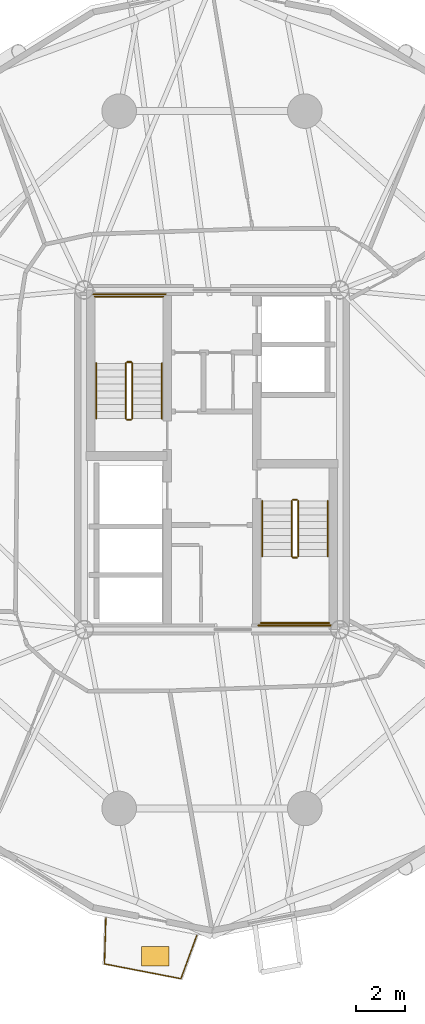
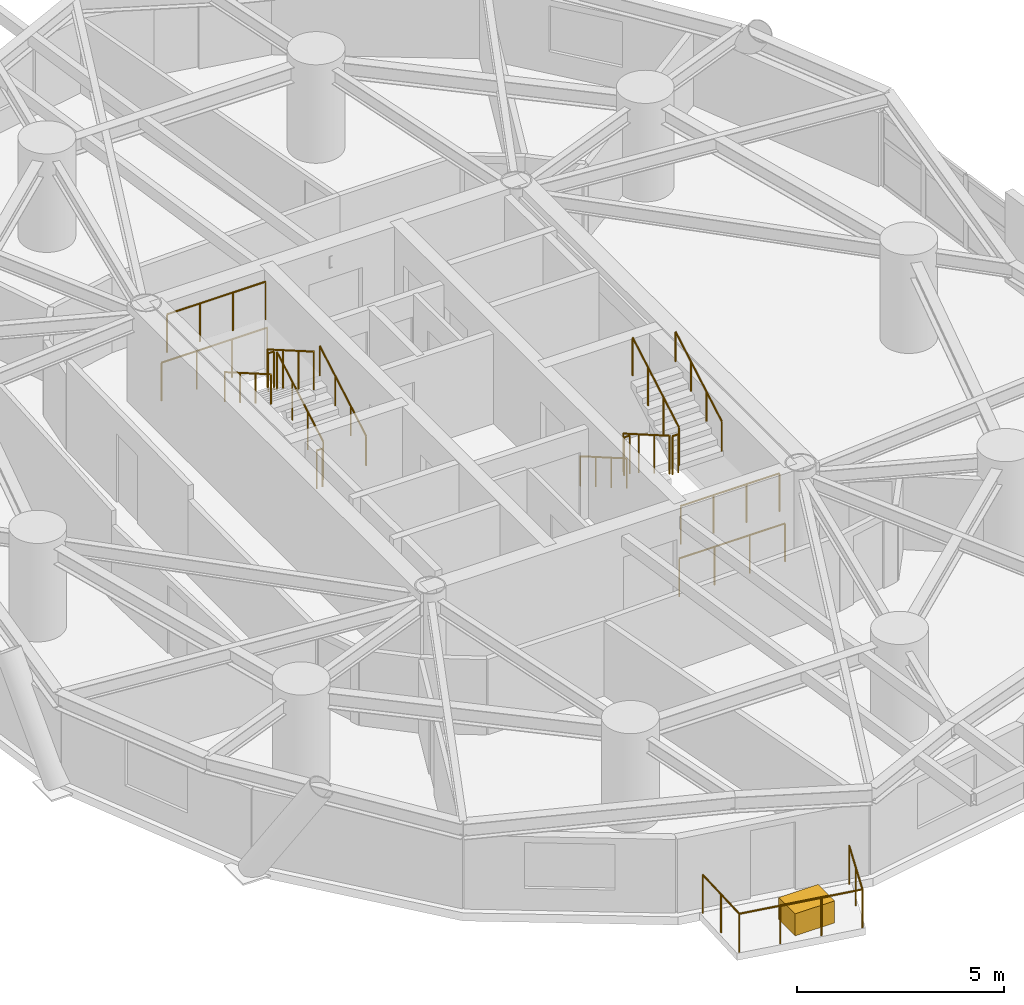
# One storey, part 16 of 18: 17 railings, 1 covering.
"""IFC4 building model written with IfcOpenShell, lengths in metres."""

from ifc_helpers import new_model, si_unit, direction, frame, origin, origin_2d, place, context, subcontext, project, spatial, rectangle, circle, extrude, source, transform, mapped, material, layer, layer_set, type_object, element, save


model = new_model("IFC4")

# Units and contexts
model_context = context("Model", 3, precision=1e-05, world=origin(), true_north=direction((0.0, 1.0)))
body_context = subcontext(model_context, "Body", "Model", "MODEL_VIEW")
ifc_project = project(units=[si_unit("LENGTHUNIT", "METRE"), si_unit("AREAUNIT", "SQUARE_METRE"), si_unit("VOLUMEUNIT", "CUBIC_METRE"), si_unit("PLANEANGLEUNIT", "RADIAN"), si_unit("MASSUNIT", "GRAM", prefix="KILO")], contexts=[model_context])

# Site, building, storey
site_placement = place(None, origin())
site = spatial("IfcSite", under=ifc_project, at=site_placement, CompositionType="ELEMENT")
building_placement = place(site_placement, origin())
building = spatial("IfcBuilding", under=site, at=building_placement, Name="Cununo Teusaquillo Station Towers", CompositionType="ELEMENT")
storey_placement = place(building_placement, frame((0.0, 0.0, 119.6201171875)))
storey = spatial("IfcBuildingStorey", under=building, at=storey_placement, Name="L38", CompositionType="ELEMENT", Elevation=119.6201171875)

# Railings
ifc_material_1 = material(Name="Anodised dark bronze aluminium EN AW-6063-T6", Category="aluminium")
railing_type_1 = type_object("IfcRailingType", Name="RL-EXT-GUARD", PredefinedType="GUARDRAIL", material=ifc_material_1)
railing_1_placement = place(storey_placement, frame((15.8818359375, 5.228271484375, 0.0)))
element("IfcRailing", 1, at=railing_1_placement, inside=storey, type_object=railing_type_1, Name="L38 Tower A Balcony Guardrail C14", PredefinedType="GUARDRAIL", context=body_context, shape_type="SweptSolid", body=[
    extrude(circle(Radius=0.02392578125, at=origin_2d()), frame((0.0, 0.0, 1.1259765625), z_axis=(-0.343962021681, -0.9389835609, 0.0), x_axis=(0.9389835609, -0.343962021681, 0.0)), (0.0, 0.0, 1.0), 1.86328125),
    extrude(circle(Radius=0.02392578125, at=origin_2d()), frame((-0.640869140625, -1.74951171875, 1.1259765625), z_axis=(-0.981834317938, 0.189740275429, 0.0), x_axis=(-0.189740275429, -0.981834317938, 0.0)), (0.0, 0.0, 1.0), 3.15380859375),
    extrude(circle(Radius=0.02392578125, at=origin_2d()), frame((-3.7373046875, -1.151123046875, 1.1259765625), z_axis=(0.030662031384, 0.999529809376, 0.0), x_axis=(-0.999529809376, 0.030662031384, 0.0)), (0.0, 0.0, 1.0), 1.86328125),
    extrude(circle(Radius=0.02099609375, at=origin_2d()), origin(), (0.0, 0.0, 1.0), 1.101806640625),
    extrude(circle(Radius=0.02099609375, at=origin_2d()), frame((-0.3203125, -0.874755859375, 0.0)), (0.0, 0.0, 1.0), 1.101806640625),
    extrude(circle(Radius=0.02099609375, at=origin_2d()), frame((-0.640869140625, -1.74951171875, 0.0)), (0.0, 0.0, 1.0), 1.101806640625),
    extrude(circle(Radius=0.02099609375, at=origin_2d()), frame((-1.673095703125, -1.550048828125, 0.0)), (0.0, 0.0, 1.0), 1.101806640625),
    extrude(circle(Radius=0.02099609375, at=origin_2d()), frame((-2.705078125, -1.3505859375, 0.0)), (0.0, 0.0, 1.0), 1.101806640625),
    extrude(circle(Radius=0.02099609375, at=origin_2d()), frame((-3.7373046875, -1.151123046875, 0.0)), (0.0, 0.0, 1.0), 1.101806640625),
    extrude(circle(Radius=0.02099609375, at=origin_2d()), frame((-3.708740234375, -0.219970703125, 0.0)), (0.0, 0.0, 1.0), 1.101806640625),
    extrude(circle(Radius=0.02099609375, at=origin_2d()), frame((-3.68017578125, 0.711181640625, 0.0)), (0.0, 0.0, 1.0), 1.101806640625),
])
ifc_material_2 = material(Name="Steel EN 10025-2 S355J2", Category="steel")
railing_type_2 = type_object("IfcRailingType", Name="RL-INT-GUARD", PredefinedType="GUARDRAIL", material=ifc_material_2)
railing_2_placement = place(storey_placement, frame((13.27001953125, 26.169921875, 0.16162109375)))
element("IfcRailing", 2, at=railing_2_placement, inside=storey, type_object=railing_type_2, Name="L38 ST-T1-1 stair guard 1", PredefinedType="GUARDRAIL", context=body_context, shape_type="SweptSolid", body=[
    extrude(circle(Radius=0.02392578125, at=origin_2d()), frame((0.0, 0.0, 1.1259765625), z_axis=(0.0, 0.866033117094, 0.499986639918), x_axis=(-1.0, 0.0, 0.0)), (0.0, 0.0, 1.0), 2.58642578125),
    extrude(circle(Radius=0.02099609375, at=origin_2d()), origin(), (0.0, 0.0, 1.0), 1.101806640625),
    extrude(circle(Radius=0.02099609375, at=origin_2d()), frame((0.0, 0.74658203125, 0.43115234375)), (0.0, 0.0, 1.0), 1.101806640625),
    extrude(circle(Radius=0.02099609375, at=origin_2d()), frame((0.0, 1.493408203125, 0.862060546875)), (0.0, 0.0, 1.0), 1.101806640625),
    extrude(circle(Radius=0.02099609375, at=origin_2d()), frame((0.0, 2.239990234375, 1.293212890625)), (0.0, 0.0, 1.0), 1.101806640625),
])
railing_3_placement = place(storey_placement, frame((13.219970703125, 28.4599609375, 1.454833984375)))
element("IfcRailing", 3, at=railing_3_placement, inside=storey, type_object=railing_type_2, Name="L38 ST-T1-1 stair guard 2", PredefinedType="GUARDRAIL", context=body_context, shape_type="SweptSolid", body=[
    extrude(circle(Radius=0.02392578125, at=origin_2d()), frame((0.0, 0.0, 1.1259765625), z_axis=(-1.0, 0.0, 0.0), x_axis=(0.0, -1.0, 0.0)), (0.0, 0.0, 1.0), 0.159912109375),
    extrude(circle(Radius=0.02099609375, at=origin_2d()), origin(), (0.0, 0.0, 1.0), 1.101806640625),
    extrude(circle(Radius=0.02099609375, at=origin_2d()), frame((-0.159912109375, 0.0, 0.0)), (0.0, 0.0, 1.0), 1.101806640625),
])
railing_4_placement = place(storey_placement, frame((14.52001953125, 31.110107421875, 1.454833984375)))
element("IfcRailing", 4, at=railing_4_placement, inside=storey, type_object=railing_type_2, Name="L38 ST-T1-1 stair guard 3", PredefinedType="GUARDRAIL", context=body_context, shape_type="SweptSolid", body=[
    extrude(circle(Radius=0.02392578125, at=origin_2d()), frame((0.0, 0.0, 1.1259765625), z_axis=(-1.0, 0.0, 0.0), x_axis=(0.0, -1.0, 0.0)), (0.0, 0.0, 1.0), 2.760009765625),
    extrude(circle(Radius=0.02099609375, at=origin_2d()), origin(), (0.0, 0.0, 1.0), 1.101806640625),
    extrude(circle(Radius=0.02099609375, at=origin_2d()), frame((-0.919921875, 0.0, 0.0)), (0.0, 0.0, 1.0), 1.101806640625),
    extrude(circle(Radius=0.02099609375, at=origin_2d()), frame((-1.840087890625, 0.0, 0.0)), (0.0, 0.0, 1.0), 1.101806640625),
    extrude(circle(Radius=0.02099609375, at=origin_2d()), frame((-2.760009765625, 0.0, 0.0)), (0.0, 0.0, 1.0), 1.101806640625),
])
railing_5_placement = place(storey_placement, frame((13.010009765625, 28.409912109375, 1.616455078125)))
element("IfcRailing", 5, at=railing_5_placement, inside=storey, type_object=railing_type_2, Name="L38 ST-T1-1 stair guard 4", PredefinedType="GUARDRAIL", context=body_context, shape_type="SweptSolid", body=[
    extrude(circle(Radius=0.02392578125, at=origin_2d()), frame((0.0, 0.0, 1.1259765625), z_axis=(0.0, -0.865992244559, 0.500057429065), x_axis=(1.0, 0.0, 0.0)), (0.0, 0.0, 1.0), 2.586669921875),
    extrude(circle(Radius=0.02099609375, at=origin_2d()), origin(), (0.0, 0.0, 1.0), 1.101806640625),
    extrude(circle(Radius=0.02099609375, at=origin_2d()), frame((0.0, -0.74658203125, 0.43115234375)), (0.0, 0.0, 1.0), 1.101806640625),
    extrude(circle(Radius=0.02099609375, at=origin_2d()), frame((0.0, -1.493408203125, 0.8623046875)), (0.0, 0.0, 1.0), 1.101806640625),
    extrude(circle(Radius=0.02099609375, at=origin_2d()), frame((0.0, -2.239990234375, 1.29345703125)), (0.0, 0.0, 1.0), 1.101806640625),
])
railing_6_placement = place(storey_placement, frame((13.219970703125, 26.1201171875, 0.0)))
element("IfcRailing", 6, at=railing_6_placement, inside=storey, type_object=railing_type_2, Name="L38 ST-T1-1 stair guard 5", PredefinedType="GUARDRAIL", context=body_context, shape_type="SweptSolid", body=[
    extrude(circle(Radius=0.02392578125, at=origin_2d()), frame((0.0, 0.0, 1.1259765625), z_axis=(-1.0, 0.0, 0.0), x_axis=(0.0, -1.0, 0.0)), (0.0, 0.0, 1.0), 0.159912109375),
    extrude(circle(Radius=0.02099609375, at=origin_2d()), origin(), (0.0, 0.0, 1.0), 1.101806640625),
    extrude(circle(Radius=0.02099609375, at=origin_2d()), frame((-0.159912109375, 0.0, 0.0)), (0.0, 0.0, 1.0), 1.101806640625),
])
railing_7_placement = place(storey_placement, frame((14.6201171875, 31.2099609375, 0.0)))
element("IfcRailing", 7, at=railing_7_placement, inside=storey, type_object=railing_type_2, Name="L38 ST-T1-1 stair guard 6", PredefinedType="GUARDRAIL", context=body_context, shape_type="SweptSolid", body=[
    extrude(circle(Radius=0.02392578125, at=origin_2d()), frame((0.0, 0.0, 1.1259765625), z_axis=(-1.0, 0.0, 0.0), x_axis=(0.0, -1.0, 0.0)), (0.0, 0.0, 1.0), 2.960205078125),
    extrude(circle(Radius=0.02099609375, at=origin_2d()), origin(), (0.0, 0.0, 1.0), 1.101806640625),
    extrude(circle(Radius=0.02099609375, at=origin_2d()), frame((-0.98681640625, 0.0, 0.0)), (0.0, 0.0, 1.0), 1.101806640625),
    extrude(circle(Radius=0.02099609375, at=origin_2d()), frame((-1.973388671875, 0.0, 0.0)), (0.0, 0.0, 1.0), 1.101806640625),
    extrude(circle(Radius=0.02099609375, at=origin_2d()), frame((-2.960205078125, 0.0, 0.0)), (0.0, 0.0, 1.0), 1.101806640625),
])
railing_8_placement = place(storey_placement, frame((19.72998046875, 22.830078125, 0.16162109375)))
element("IfcRailing", 8, at=railing_8_placement, inside=storey, type_object=railing_type_2, Name="L38 ST-T1-2 stair guard 1", PredefinedType="GUARDRAIL", context=body_context, shape_type="SweptSolid", body=[
    extrude(circle(Radius=0.02392578125, at=origin_2d()), frame((0.0, 0.0, 1.1259765625), z_axis=(0.0, -0.866033117094, 0.499986639918), x_axis=(1.0, 0.0, 0.0)), (0.0, 0.0, 1.0), 2.58642578125),
    extrude(circle(Radius=0.02099609375, at=origin_2d()), origin(), (0.0, 0.0, 1.0), 1.101806640625),
    extrude(circle(Radius=0.02099609375, at=origin_2d()), frame((0.0, -0.74658203125, 0.43115234375)), (0.0, 0.0, 1.0), 1.101806640625),
    extrude(circle(Radius=0.02099609375, at=origin_2d()), frame((0.0, -1.493408203125, 0.862060546875)), (0.0, 0.0, 1.0), 1.101806640625),
    extrude(circle(Radius=0.02099609375, at=origin_2d()), frame((0.0, -2.239990234375, 1.293212890625)), (0.0, 0.0, 1.0), 1.101806640625),
])
railing_9_placement = place(storey_placement, frame((19.780029296875, 20.5400390625, 1.454833984375)))
element("IfcRailing", 9, at=railing_9_placement, inside=storey, type_object=railing_type_2, Name="L38 ST-T1-2 stair guard 2", PredefinedType="GUARDRAIL", context=body_context, shape_type="SweptSolid", body=[
    extrude(circle(Radius=0.02392578125, at=origin_2d()), frame((0.0, 0.0, 1.1259765625), z_axis=(1.0, 0.0, 0.0), x_axis=(0.0, 1.0, 0.0)), (0.0, 0.0, 1.0), 0.159912109375),
    extrude(circle(Radius=0.02099609375, at=origin_2d()), origin(), (0.0, 0.0, 1.0), 1.101806640625),
    extrude(circle(Radius=0.02099609375, at=origin_2d()), frame((0.159912109375, 0.0, 0.0)), (0.0, 0.0, 1.0), 1.101806640625),
])
railing_10_placement = place(storey_placement, frame((18.47998046875, 17.889892578125, 1.454833984375)))
element("IfcRailing", 10, at=railing_10_placement, inside=storey, type_object=railing_type_2, Name="L38 ST-T1-2 stair guard 3", PredefinedType="GUARDRAIL", context=body_context, shape_type="SweptSolid", body=[
    extrude(circle(Radius=0.02392578125, at=origin_2d()), frame((0.0, 0.0, 1.1259765625), z_axis=(1.0, 0.0, 0.0), x_axis=(0.0, 1.0, 0.0)), (0.0, 0.0, 1.0), 2.760009765625),
    extrude(circle(Radius=0.02099609375, at=origin_2d()), origin(), (0.0, 0.0, 1.0), 1.101806640625),
    extrude(circle(Radius=0.02099609375, at=origin_2d()), frame((0.919921875, 0.0, 0.0)), (0.0, 0.0, 1.0), 1.101806640625),
    extrude(circle(Radius=0.02099609375, at=origin_2d()), frame((1.840087890625, 0.0, 0.0)), (0.0, 0.0, 1.0), 1.101806640625),
    extrude(circle(Radius=0.02099609375, at=origin_2d()), frame((2.760009765625, 0.0, 0.0)), (0.0, 0.0, 1.0), 1.101806640625),
])
railing_11_placement = place(storey_placement, frame((19.989990234375, 20.590087890625, 1.616455078125)))
element("IfcRailing", 11, at=railing_11_placement, inside=storey, type_object=railing_type_2, Name="L38 ST-T1-2 stair guard 4", PredefinedType="GUARDRAIL", context=body_context, shape_type="SweptSolid", body=[
    extrude(circle(Radius=0.02392578125, at=origin_2d()), frame((0.0, 0.0, 1.1259765625), z_axis=(0.0, 0.865992244559, 0.500057429065), x_axis=(-1.0, 0.0, 0.0)), (0.0, 0.0, 1.0), 2.586669921875),
    extrude(circle(Radius=0.02099609375, at=origin_2d()), origin(), (0.0, 0.0, 1.0), 1.101806640625),
    extrude(circle(Radius=0.02099609375, at=origin_2d()), frame((0.0, 0.74658203125, 0.43115234375)), (0.0, 0.0, 1.0), 1.101806640625),
    extrude(circle(Radius=0.02099609375, at=origin_2d()), frame((0.0, 1.493408203125, 0.8623046875)), (0.0, 0.0, 1.0), 1.101806640625),
    extrude(circle(Radius=0.02099609375, at=origin_2d()), frame((0.0, 2.239990234375, 1.29345703125)), (0.0, 0.0, 1.0), 1.101806640625),
])
railing_12_placement = place(storey_placement, frame((19.780029296875, 22.8798828125, 0.0)))
element("IfcRailing", 12, at=railing_12_placement, inside=storey, type_object=railing_type_2, Name="L38 ST-T1-2 stair guard 5", PredefinedType="GUARDRAIL", context=body_context, shape_type="SweptSolid", body=[
    extrude(circle(Radius=0.02392578125, at=origin_2d()), frame((0.0, 0.0, 1.1259765625), z_axis=(1.0, 0.0, 0.0), x_axis=(0.0, 1.0, 0.0)), (0.0, 0.0, 1.0), 0.159912109375),
    extrude(circle(Radius=0.02099609375, at=origin_2d()), origin(), (0.0, 0.0, 1.0), 1.101806640625),
    extrude(circle(Radius=0.02099609375, at=origin_2d()), frame((0.159912109375, 0.0, 0.0)), (0.0, 0.0, 1.0), 1.101806640625),
])
railing_13_placement = place(storey_placement, frame((18.3798828125, 17.7900390625, 0.0)))
element("IfcRailing", 13, at=railing_13_placement, inside=storey, type_object=railing_type_2, Name="L38 ST-T1-2 stair guard 6", PredefinedType="GUARDRAIL", context=body_context, shape_type="SweptSolid", body=[
    extrude(circle(Radius=0.02392578125, at=origin_2d()), frame((0.0, 0.0, 1.1259765625), z_axis=(1.0, 0.0, 0.0), x_axis=(0.0, 1.0, 0.0)), (0.0, 0.0, 1.0), 2.960205078125),
    extrude(circle(Radius=0.02099609375, at=origin_2d()), origin(), (0.0, 0.0, 1.0), 1.101806640625),
    extrude(circle(Radius=0.02099609375, at=origin_2d()), frame((0.98681640625, 0.0, 0.0)), (0.0, 0.0, 1.0), 1.101806640625),
    extrude(circle(Radius=0.02099609375, at=origin_2d()), frame((1.973388671875, 0.0, 0.0)), (0.0, 0.0, 1.0), 1.101806640625),
    extrude(circle(Radius=0.02099609375, at=origin_2d()), frame((2.960205078125, 0.0, 0.0)), (0.0, 0.0, 1.0), 1.101806640625),
])
ifc_material_3 = material(Name="Steel EN 10025-2 S355J2", Category="steel")
railing_type_3 = type_object("IfcRailingType", Name="RL-INT-HRAIL", PredefinedType="HANDRAIL", material=ifc_material_3)
railing_14_placement = place(storey_placement, frame((14.469970703125, 26.169921875, 0.16162109375)))
element("IfcRailing", 14, at=railing_14_placement, inside=storey, type_object=railing_type_3, Name="L38 ST-T1-1 stair handrail 1", PredefinedType="HANDRAIL", context=body_context, shape_type="SweptSolid", body=[
    extrude(circle(Radius=0.02392578125, at=origin_2d()), frame((0.0, 0.0, 0.8759765625), z_axis=(0.0, 0.866033117094, 0.499986639918), x_axis=(-1.0, 0.0, 0.0)), (0.0, 0.0, 1.0), 2.58642578125),
    extrude(circle(Radius=0.02099609375, at=origin_2d()), origin(), (0.0, 0.0, 1.0), 0.851806640625),
    extrude(circle(Radius=0.02099609375, at=origin_2d()), frame((0.0, 0.74658203125, 0.43115234375)), (0.0, 0.0, 1.0), 0.851806640625),
    extrude(circle(Radius=0.02099609375, at=origin_2d()), frame((0.0, 1.493408203125, 0.862060546875)), (0.0, 0.0, 1.0), 0.851806640625),
    extrude(circle(Radius=0.02099609375, at=origin_2d()), frame((0.0, 2.239990234375, 1.293212890625)), (0.0, 0.0, 1.0), 0.851806640625),
])
railing_15_placement = place(storey_placement, frame((11.81005859375, 28.409912109375, 1.616455078125)))
element("IfcRailing", 15, at=railing_15_placement, inside=storey, type_object=railing_type_3, Name="L38 ST-T1-1 stair handrail 2", PredefinedType="HANDRAIL", context=body_context, shape_type="SweptSolid", body=[
    extrude(circle(Radius=0.02392578125, at=origin_2d()), frame((0.0, 0.0, 0.8759765625), z_axis=(0.0, -0.865992244559, 0.500057429065), x_axis=(1.0, 0.0, 0.0)), (0.0, 0.0, 1.0), 2.586669921875),
    extrude(circle(Radius=0.02099609375, at=origin_2d()), origin(), (0.0, 0.0, 1.0), 0.851806640625),
    extrude(circle(Radius=0.02099609375, at=origin_2d()), frame((0.0, -0.74658203125, 0.43115234375)), (0.0, 0.0, 1.0), 0.851806640625),
    extrude(circle(Radius=0.02099609375, at=origin_2d()), frame((0.0, -1.493408203125, 0.8623046875)), (0.0, 0.0, 1.0), 0.851806640625),
    extrude(circle(Radius=0.02099609375, at=origin_2d()), frame((0.0, -2.239990234375, 1.29345703125)), (0.0, 0.0, 1.0), 0.851806640625),
])
railing_16_placement = place(storey_placement, frame((18.530029296875, 22.830078125, 0.16162109375)))
element("IfcRailing", 16, at=railing_16_placement, inside=storey, type_object=railing_type_3, Name="L38 ST-T1-2 stair handrail 1", PredefinedType="HANDRAIL", context=body_context, shape_type="SweptSolid", body=[
    extrude(circle(Radius=0.02392578125, at=origin_2d()), frame((0.0, 0.0, 0.8759765625), z_axis=(0.0, -0.866033117094, 0.499986639918), x_axis=(1.0, 0.0, 0.0)), (0.0, 0.0, 1.0), 2.58642578125),
    extrude(circle(Radius=0.02099609375, at=origin_2d()), origin(), (0.0, 0.0, 1.0), 0.851806640625),
    extrude(circle(Radius=0.02099609375, at=origin_2d()), frame((0.0, -0.74658203125, 0.43115234375)), (0.0, 0.0, 1.0), 0.851806640625),
    extrude(circle(Radius=0.02099609375, at=origin_2d()), frame((0.0, -1.493408203125, 0.862060546875)), (0.0, 0.0, 1.0), 0.851806640625),
    extrude(circle(Radius=0.02099609375, at=origin_2d()), frame((0.0, -2.239990234375, 1.293212890625)), (0.0, 0.0, 1.0), 0.851806640625),
])
railing_17_placement = place(storey_placement, frame((21.18994140625, 20.590087890625, 1.616455078125)))
element("IfcRailing", 17, at=railing_17_placement, inside=storey, type_object=railing_type_3, Name="L38 ST-T1-2 stair handrail 2", PredefinedType="HANDRAIL", context=body_context, shape_type="SweptSolid", body=[
    extrude(circle(Radius=0.02392578125, at=origin_2d()), frame((0.0, 0.0, 0.8759765625), z_axis=(0.0, 0.865992244559, 0.500057429065), x_axis=(-1.0, 0.0, 0.0)), (0.0, 0.0, 1.0), 2.586669921875),
    extrude(circle(Radius=0.02099609375, at=origin_2d()), origin(), (0.0, 0.0, 1.0), 0.851806640625),
    extrude(circle(Radius=0.02099609375, at=origin_2d()), frame((0.0, 0.74658203125, 0.43115234375)), (0.0, 0.0, 1.0), 0.851806640625),
    extrude(circle(Radius=0.02099609375, at=origin_2d()), frame((0.0, 1.493408203125, 0.8623046875)), (0.0, 0.0, 1.0), 0.851806640625),
    extrude(circle(Radius=0.02099609375, at=origin_2d()), frame((0.0, 2.239990234375, 1.29345703125)), (0.0, 0.0, 1.0), 0.851806640625),
])

# Covering
ifc_material_4 = material(Name="Architectural GRC planter shell and engineered root-zone substrate", Category="concrete")
ifc_layer = layer(ifc_material_4, 0.64990234375)
ifc_layer_set = layer_set([ifc_layer], Name="Architectural GRC planter shell and engineered root-zone substrate")
covering_type = type_object("IfcCoveringType", Name="COV-TREE-PLANTER", PredefinedType="CLADDING", material=ifc_layer_set)
shared_shape = source(origin(), body_context, "Body", "SweptSolid", [
    extrude(rectangle(XDim=1.10009765625, YDim=0.800048828125, at=origin_2d()), origin(), (0.0, 0.0, 1.0), 0.64990234375),
])
covering_placement = place(storey_placement, frame((14.2021484375, 4.385498046875, 0.0), z_axis=(0.0, 0.0, 1.0), x_axis=(1.0, 0.0, 0.0)))
element("IfcCovering", 18, at=covering_placement, inside=storey, type_object=covering_type, Name="L38 Tower A Balcony Tree PLANTER C14", PredefinedType="CLADDING", context=body_context, shape_type="MappedRepresentation", body=[
    mapped(shared_shape, transform((0.0, 0.0, 0.0), x_axis=(1.0, 0.0, 0.0), y_axis=(0.0, 1.0, 0.0), z_axis=(0.0, 0.0, 1.0), scale=1.0)),
])

save(model, "model.ifc")
